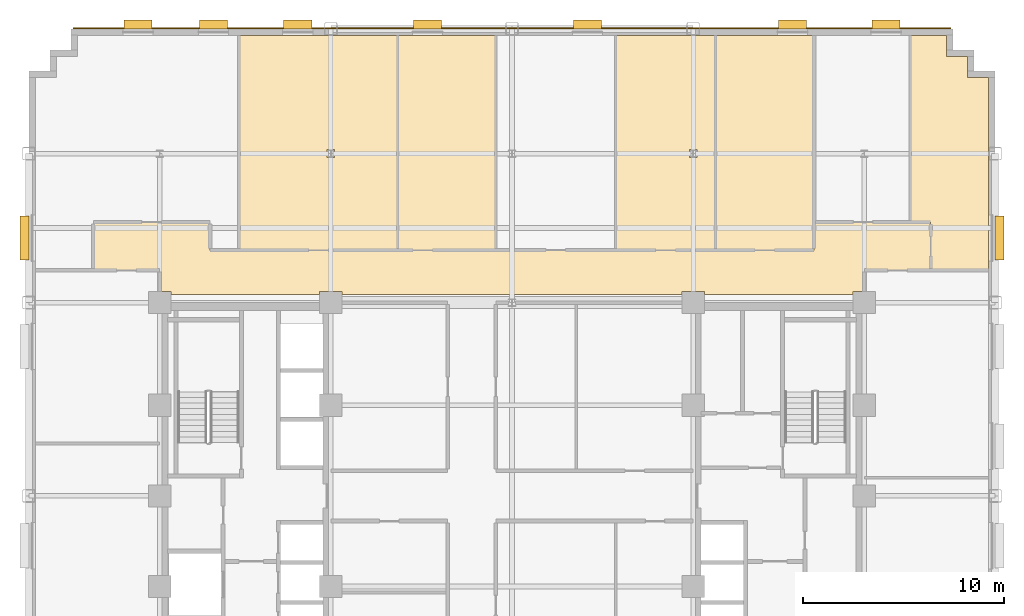
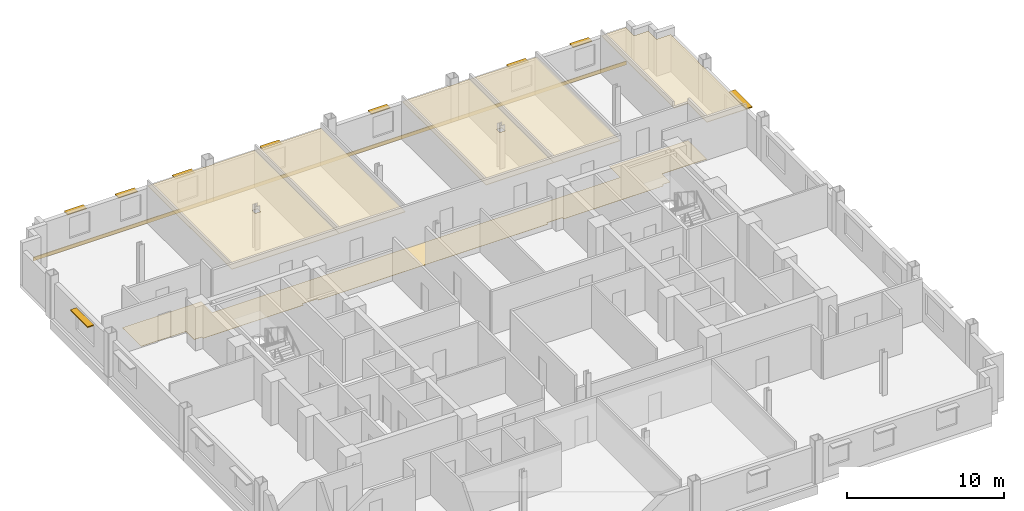
# One storey, part 14 of 14: 9 shading devices, 7 coverings.
"""IFC4 building model written with IfcOpenShell, lengths in metres."""

from ifc_helpers import new_model, si_unit, direction, frame, origin, origin_2d, place, context, subcontext, project, spatial, polyline, rectangle, outline, extrude, source, transform, mapped, material, layer, layer_set, type_object, type_shapes, element, save


model = new_model("IFC4")

# Units and contexts
model_context = context("Model", 3, precision=1e-05, world=origin(), true_north=direction((0.0, 1.0)))
body_context = subcontext(model_context, "Body", "Model", "MODEL_VIEW")
ifc_project = project(units=[si_unit("LENGTHUNIT", "METRE"), si_unit("AREAUNIT", "SQUARE_METRE"), si_unit("VOLUMEUNIT", "CUBIC_METRE"), si_unit("PLANEANGLEUNIT", "RADIAN"), si_unit("MASSUNIT", "GRAM", prefix="KILO")], contexts=[model_context])

# Site, building, storey
site_placement = place(None, origin())
site = spatial("IfcSite", under=ifc_project, at=site_placement, CompositionType="ELEMENT")
building_placement = place(site_placement, origin())
building = spatial("IfcBuilding", under=site, at=building_placement, Name="Nuvemarco Arch Tower", CompositionType="ELEMENT")
storey_placement = place(building_placement, frame((0.0, 0.0, 109.25)))
storey = spatial("IfcBuildingStorey", under=building, at=storey_placement, Name="L28", CompositionType="ELEMENT", Elevation=109.25)

# Coverings
ifc_material_1 = material(Name="Mineral acoustic ceiling tile")
ifc_layer_1 = layer(ifc_material_1, 0.0400390625, Name="COV-ACOUSTIC-CLG")
ifc_layer_set_1 = layer_set([ifc_layer_1], Name="Mineral acoustic ceiling tile")
covering_type_1 = type_object("IfcCoveringType", Name="COV-ACOUSTIC-CLG", PredefinedType="CEILING", material=ifc_layer_set_1)
covering_1_placement = place(storey_placement, frame((0.0, 0.0, 2.85009765625)))
element("IfcCovering", 1, at=covering_1_placement, inside=storey, type_object=covering_type_1, Name="L28 suspended acoustic ceiling 3", PredefinedType="CEILING", context=body_context, shape_type="SweptSolid", body=[
    extrude(outline(polyline([(-5.669921875, 12.199951171875), (-13.56005859375, 12.199951171875), (-13.56005859375, 22.8798828125), (-9.340087890625, 22.8798828125), (-9.340087890625, 22.860107421875), (-8.659912109375, 22.860107421875), (-8.659912109375, 22.8798828125), (-5.669921875, 22.8798828125), (-5.669921875, 12.199951171875)]), holes=[polyline([(-8.804931640625, 16.804931640625), (-8.804931640625, 17.195068359375), (-9.195068359375, 17.195068359375), (-9.195068359375, 16.804931640625), (-8.804931640625, 16.804931640625)])]), origin(), (0.0, 0.0, 1.0), 0.039794921875),
])
covering_2_placement = place(storey_placement, frame((0.0, 0.0, 2.85009765625)))
element("IfcCovering", 2, at=covering_2_placement, inside=storey, type_object=covering_type_1, Name="L28 suspended acoustic ceiling 4", PredefinedType="CEILING", context=body_context, shape_type="SweptSolid", body=[
    extrude(outline(polyline([(15.070068359375, 22.8798828125), (15.070068359375, 13.60009765625), (15.0, 13.60009765625), (15.0, 12.199951171875), (10.110107421875, 12.199951171875), (10.110107421875, 22.8798828125), (15.070068359375, 22.8798828125)])), origin(), (0.0, 0.0, 1.0), 0.039794921875),
])
covering_3_placement = place(storey_placement, frame((0.0, 0.0, 2.85009765625)))
element("IfcCovering", 3, at=covering_3_placement, inside=storey, type_object=covering_type_1, Name="L28 suspended acoustic ceiling 5", PredefinedType="CEILING", context=body_context, shape_type="SweptSolid", body=[
    extrude(outline(polyline([(10.110107421875, 12.199951171875), (5.14990234375, 12.199951171875), (5.14990234375, 22.8798828125), (8.659912109375, 22.8798828125), (8.659912109375, 22.860107421875), (9.340087890625, 22.860107421875), (9.340087890625, 22.8798828125), (10.110107421875, 22.8798828125), (10.110107421875, 12.199951171875)]), holes=[polyline([(9.195068359375, 17.195068359375), (8.804931640625, 17.195068359375), (8.804931640625, 16.804931640625), (9.195068359375, 16.804931640625), (9.195068359375, 17.195068359375)])]), origin(), (0.0, 0.0, 1.0), 0.039794921875),
])
covering_4_placement = place(storey_placement, frame((0.0, 0.0, 2.85009765625)))
element("IfcCovering", 4, at=covering_4_placement, inside=storey, type_object=covering_type_1, Name="L28 suspended acoustic ceiling 6", PredefinedType="CEILING", context=body_context, shape_type="SweptSolid", body=[
    extrude(outline(polyline([(-0.800048828125, 12.199951171875), (-3.199951171875, 12.199951171875), (-5.669921875, 12.199951171875), (-5.669921875, 22.8798828125), (-0.800048828125, 22.8798828125), (-0.800048828125, 12.199951171875)])), origin(), (0.0, 0.0, 1.0), 0.039794921875),
])
covering_5_placement = place(storey_placement, frame((0.0, 0.0, 2.85009765625)))
element("IfcCovering", 5, at=covering_5_placement, inside=storey, type_object=covering_type_1, Name="L28 suspended acoustic ceiling 7", PredefinedType="CEILING", context=body_context, shape_type="SweptSolid", body=[
    extrude(outline(polyline([(23.679931640625, 20.780029296875), (23.679931640625, 17.340087890625), (23.659912109375, 17.340087890625), (23.659912109375, 16.659912109375), (23.679931640625, 16.659912109375), (23.679931640625, 11.199951171875), (20.800048828125, 11.199951171875), (20.800048828125, 13.60009765625), (19.780029296875, 13.60009765625), (19.780029296875, 22.8798828125), (21.580078125, 22.8798828125), (21.580078125, 21.830078125), (22.6298828125, 21.830078125), (22.6298828125, 20.780029296875), (23.679931640625, 20.780029296875)])), origin(), (0.0, 0.0, 1.0), 0.039794921875),
])
ifc_material_2 = material(Name="Polished granite terrazzostone flooring", Category="masonry")
ifc_layer_2 = layer(ifc_material_2, 0.02001953125, Name="COV-LOBBY-FLR")
ifc_layer_set_2 = layer_set([ifc_layer_2], Name="Polished granite terrazzostone flooring")
covering_type_2 = type_object("IfcCoveringType", Name="COV-LOBBY-FLR", PredefinedType="FLOORING", material=ifc_layer_set_2)
covering_6_placement = place(storey_placement, origin())
element("IfcCovering", 6, at=covering_6_placement, inside=storey, type_object=covering_type_2, Name="L28 polished terrazzo lobby flooring", PredefinedType="FLOORING", context=body_context, shape_type="SweptSolid", body=[
    extrude(outline(polyline([(-8.43505859375, 10.1650390625), (-9.56494140625, 10.1650390625), (-9.56494140625, 10.0), (-16.93505859375, 10.0), (-16.93505859375, 10.1650390625), (-17.5, 10.1650390625), (-17.5, 11.199951171875), (-20.800048828125, 11.199951171875), (-20.800048828125, 13.60009765625), (-15.0, 13.60009765625), (-15.0, 12.199951171875), (-3.199951171875, 12.199951171875), (-0.800048828125, 12.199951171875), (15.0, 12.199951171875), (15.0, 13.60009765625), (20.800048828125, 13.60009765625), (20.800048828125, 11.199951171875), (17.5, 11.199951171875), (17.5, 10.1650390625), (16.93505859375, 10.1650390625), (16.93505859375, 10.0), (9.56494140625, 10.0), (9.56494140625, 10.1650390625), (8.43505859375, 10.1650390625), (8.43505859375, 10.0), (-8.43505859375, 10.0), (-8.43505859375, 10.1650390625)])), origin(), (0.0, 0.0, 1.0), 0.02001953125),
])

# Shading devices
ifc_material_3 = material(Name="Anodised aluminium 6063-T6", Category="aluminium")
shading_device_type_1 = type_object("IfcShadingDeviceType", Name="SHD-BRISE-SOLEIL", PredefinedType="USERDEFINED", material=ifc_material_3)
shared_shape_1 = source(origin(), body_context, "Body", "SweptSolid", [
    extrude(rectangle(XDim=2.199951171875, YDim=0.449951171875, at=origin_2d()), origin(), (0.0, 0.0, 1.0), 0.080078125),
])
type_shapes(shading_device_type_1, [shared_shape_1])
for number, where, z_axis, x_axis, name in (
    (7, (24.215087890625, 12.81494140625, 2.425048828125), (0.0, 0.0, 1.0), (0.0, 1.0, 0.0), "L28 horizontal brise-soleil sunshade"),
    (8, (-24.215087890625, 12.81494140625, 2.425048828125), (0.0, 0.0, 1.0), (0.0, 1.0, 0.0), "L28 horizontal brise-soleil sunshade"),
):
    element("IfcShadingDevice", number, at=place(storey_placement, frame(where, z_axis=z_axis, x_axis=x_axis)), inside=storey, type_object=shading_device_type_1, Name=name, ObjectType="SUNSHADE", PredefinedType="USERDEFINED", context=body_context, shape_type="MappedRepresentation", body=[
        mapped(shared_shape_1, transform((0.0, 0.0, 0.0), scale=1.0)),
    ])
shading_device_type_2 = type_object("IfcShadingDeviceType", Name="SHD-BRISE-NARROW", PredefinedType="USERDEFINED", material=ifc_material_3)
shared_shape_2 = source(origin(), body_context, "Body", "SweptSolid", [
    extrude(rectangle(XDim=1.39990234375, YDim=0.449951171875, at=origin_2d()), origin(), (0.0, 0.0, 1.0), 0.080078125),
])
type_shapes(shading_device_type_2, [shared_shape_2])
for number, where, z_axis, x_axis, name in (
    (9, (-18.577880859375, 23.4150390625, 2.405029296875), (0.0, 0.0, 1.0), (1.0, 0.0, 0.0), "L28 horizontal brise-soleil sunshade"),
    (10, (-14.833251953125, 23.4150390625, 2.405029296875), (0.0, 0.0, 1.0), (1.0, 0.0, 0.0), "L28 horizontal brise-soleil sunshade"),
    (11, (-10.638916015625, 23.4150390625, 2.405029296875), (0.0, 0.0, 1.0), (1.0, 0.0, 0.0), "L28 horizontal brise-soleil sunshade"),
    (12, (-4.1943359375, 23.4150390625, 2.405029296875), (0.0, 0.0, 1.0), (1.0, 0.0, 0.0), "L28 horizontal brise-soleil sunshade"),
    (13, (3.744384765625, 23.4150390625, 2.405029296875), (0.0, 0.0, 1.0), (1.0, 0.0, 0.0), "L28 horizontal brise-soleil sunshade"),
    (14, (13.933349609375, 23.4150390625, 2.405029296875), (0.0, 0.0, 1.0), (1.0, 0.0, 0.0), "L28 horizontal brise-soleil sunshade"),
    (15, (18.577880859375, 23.4150390625, 2.405029296875), (0.0, 0.0, 1.0), (1.0, 0.0, 0.0), "L28 horizontal brise-soleil sunshade"),
):
    element("IfcShadingDevice", number, at=place(storey_placement, frame(where, z_axis=z_axis, x_axis=x_axis)), inside=storey, type_object=shading_device_type_2, Name=name, ObjectType="SUNSHADE", PredefinedType="USERDEFINED", context=body_context, shape_type="MappedRepresentation", body=[
        mapped(shared_shape_2, transform((0.0, 0.0, 0.0), scale=1.0)),
    ])

# Covering
ifc_material_4 = material(Name="Precast concrete C45/55", Category="concrete")
ifc_layer_3 = layer(ifc_material_4, 0.06005859375, Name="COV-SPANDREL-CLAD")
ifc_layer_set_3 = layer_set([ifc_layer_3], Name="Precast concrete C45/55")
covering_type_3 = type_object("IfcCoveringType", Name="COV-SPANDREL-CLAD", PredefinedType="CLADDING", material=ifc_layer_set_3)
shared_shape_3 = source(origin(), body_context, "Body", "SweptSolid", [
    extrude(rectangle(XDim=43.60009765625, YDim=0.06005859375, at=origin_2d()), origin(), (0.0, 0.0, 1.0), 0.280029296875),
])
type_shapes(covering_type_3, [shared_shape_3])
covering_7_placement = place(storey_placement, frame((0.0, 23.22900390625, -0.27978515625), z_axis=(0.0, 0.0, 1.0), x_axis=(1.0, 0.0, 0.0)))
element("IfcCovering", 16, at=covering_7_placement, inside=storey, type_object=covering_type_3, Name="L28 precast spandrel edge cladding north", PredefinedType="CLADDING", context=body_context, shape_type="MappedRepresentation", body=[
    mapped(shared_shape_3, transform((0.0, 0.0, 0.0), scale=1.0)),
])

save(model, "model.ifc")
